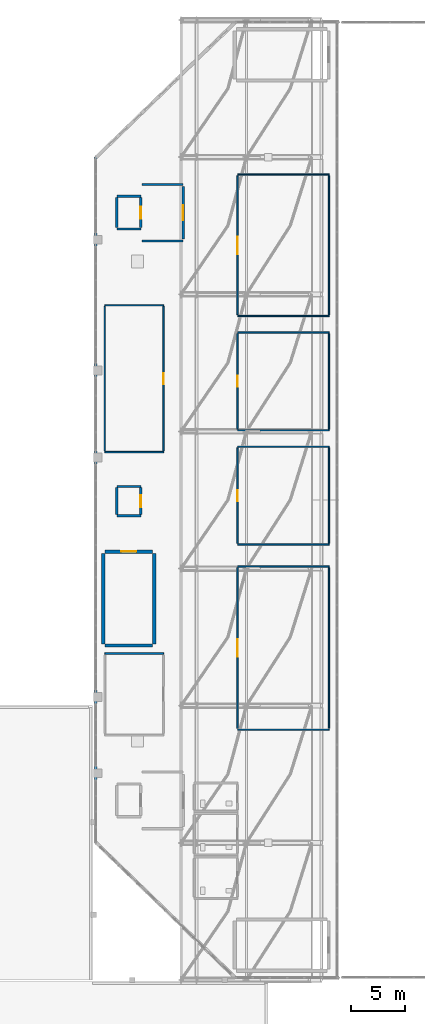
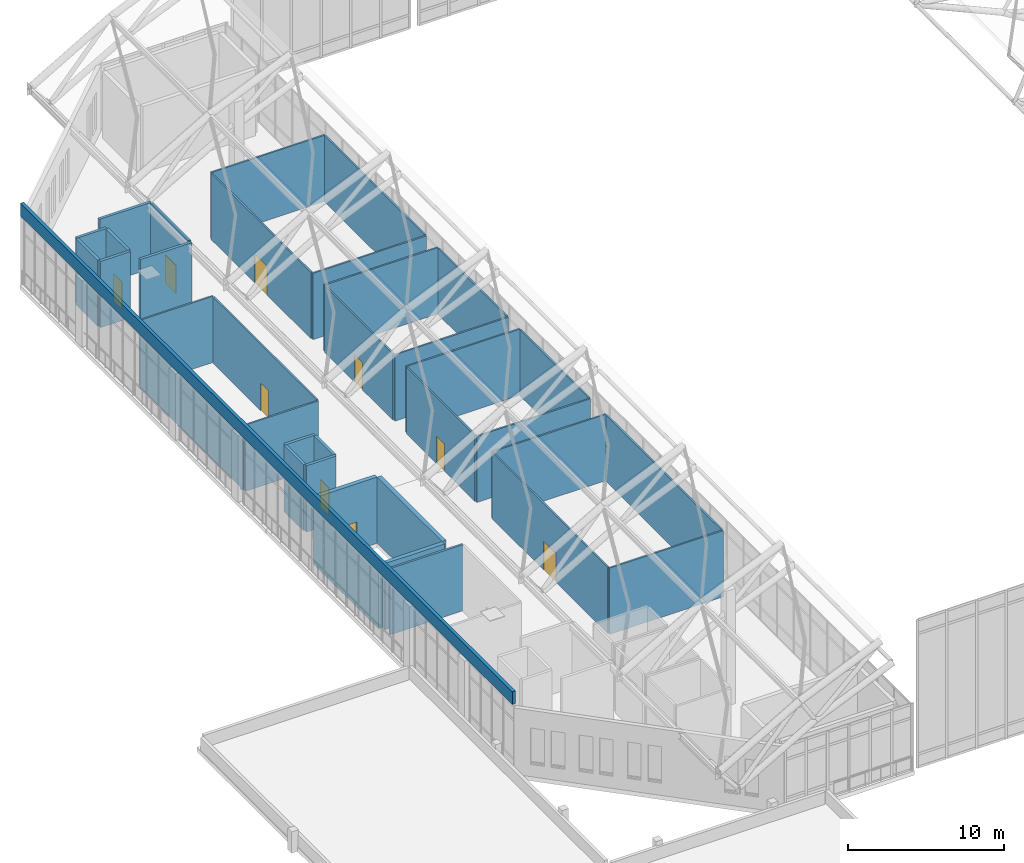
# One storey, part 37 of 42: 37 walls, 9 doors, 9 openings.
"""IFC4 building model written with IfcOpenShell, lengths in metres."""

from ifc_helpers import new_model, si_unit, derived_unit, direction, frame, frame_2d, origin, place, context, subcontext, project, spatial, rectangle, extrude, material, layer, layer_set, type_object, element, fill, save


model = new_model("IFC4")

# Units and contexts
model_context = context("Model", 3, precision=1e-05, world=origin(), true_north=direction((0.0, 1.0)))
body_context = subcontext(model_context, "Body", "Model", "MODEL_VIEW")
ifc_project = project(units=[si_unit("LENGTHUNIT", "METRE"), si_unit("AREAUNIT", "SQUARE_METRE"), si_unit("VOLUMEUNIT", "CUBIC_METRE"), si_unit("PLANEANGLEUNIT", "RADIAN"), si_unit("MASSUNIT", "GRAM", prefix="KILO"), derived_unit("THERMALTRANSMITTANCEUNIT", [(si_unit("MASSUNIT", "GRAM", prefix="KILO"), 1), (si_unit("TIMEUNIT", "SECOND"), -3), (si_unit("THERMODYNAMICTEMPERATUREUNIT", "KELVIN"), -1)])], contexts=[model_context])

# Site, building, storey
site_placement = place(None, origin())
site = spatial("IfcSite", under=ifc_project, at=site_placement, CompositionType="ELEMENT")
building_placement = place(site_placement, origin())
building = spatial("IfcBuilding", under=site, at=building_placement, Name="Valcora Ridge Arena", CompositionType="ELEMENT")
storey_placement = place(building_placement, frame((0.0, 0.0, 26.39990234375)))
storey = spatial("IfcBuildingStorey", under=building, at=storey_placement, Name="L05", CompositionType="ELEMENT", Elevation=26.39990234375)

# Walls
ifc_material_1 = material(Name="Fire-rated masonry-core compartment wall C35/45 150 mm", Category="masonry")
ifc_layer_1 = layer(ifc_material_1, 0.14990234375, Name="Fire-rated masonry-core compartment wall C35/45 150 mm")
ifc_layer_set_1 = layer_set([ifc_layer_1], Name="Fire-rated masonry-core compartment wall C35/45 150 mm")
wall_type_1 = type_object("IfcWallType", Name="TY-WALL-IW-COMP-150", PredefinedType="STANDARD", material=ifc_layer_set_1)
wall_1_placement = place(storey_placement, frame((17.0, 50.0, 0.0), z_axis=(0.0, 0.0, 1.0), x_axis=(1.0, 0.0, 0.0)))
element("IfcWall", 1, at=wall_1_placement, inside=storey, type_object=wall_type_1, Name="IW-COMP-150 WAL-IN-0500", PredefinedType="STANDARD", context=body_context, shape_type="SweptSolid", body=[
    extrude(rectangle(XDim=5.39990234375, YDim=0.14990234375, at=frame_2d((2.699951171875, 0.0))), origin(), (0.0, 0.0, 1.0), 5.18017578125),
])
ifc_material_2 = material(Name="Fire-resisting reinforced concrete enclosure C40/50 200 mm", Category="concrete")
ifc_layer_2 = layer(ifc_material_2, 0.199951171875, Name="Fire-resisting reinforced concrete enclosure C40/50 200 mm")
ifc_layer_set_2 = layer_set([ifc_layer_2], Name="Fire-resisting reinforced concrete enclosure C40/50 200 mm")
wall_type_2 = type_object("IfcWallType", Name="TY-WALL-IW-FIRE-200", PredefinedType="STANDARD", material=ifc_layer_set_2)
for number, where, z_axis, x_axis, name in (
    (2, (20.39990234375, 87.89990234375, 0.0), (0.0, 0.0, 1.0), (1.0, 0.0, 0.0), "IW-FIRE-200 WAL-IN-0040"),
    (3, (20.39990234375, 93.10009765625, 0.0), (0.0, 0.0, 1.0), (1.0, 0.0, 0.0), "IW-FIRE-200 WAL-IN-0041"),
):
    element("IfcWall", number, at=place(storey_placement, frame(where, z_axis=z_axis, x_axis=x_axis)), inside=storey, type_object=wall_type_2, Name=name, PredefinedType="STANDARD", context=body_context, shape_type="SweptSolid", body=[
        extrude(rectangle(XDim=3.800048828125, YDim=0.199951171875, at=frame_2d((1.89990234375, 0.0))), origin(), (0.0, 0.0, 1.0), 5.18017578125),
    ])

# Wall, opening, door
wall_2_placement = place(storey_placement, frame((24.199951171875, 88.10009765625, 0.0), z_axis=(0.0, 0.0, 1.0), x_axis=(0.0, 1.0, 0.0)))
wall_2 = element("IfcWall", 4, at=wall_2_placement, inside=storey, type_object=wall_type_2, Name="IW-FIRE-200 WAL-IN-0042", PredefinedType="STANDARD", context=body_context, shape_type="SweptSolid", body=[
    extrude(rectangle(XDim=4.7998046875, YDim=0.199951171875, at=frame_2d((2.39990234375, 0.0))), origin(), (0.0, 0.0, 1.0), 5.18017578125),
])
opening_1_placement = place(wall_2_placement, frame((1.699951171875, 0.0, 0.0)))
opening_1 = element("IfcOpeningElement", 5, at=opening_1_placement, cuts=wall_2, Name="Opening FD-FFL-1400", PredefinedType="OPENING", context=body_context, shape_type="SweptSolid", body=[
    extrude(rectangle(XDim=1.39990234375, YDim=2.199951171875, at=frame_2d((0.699951171875, 1.10009765625))), frame((0.0, 0.10986328125, 0.0), z_axis=(0.0, -1.0, 0.0), x_axis=(1.0, 0.0, 0.0)), (0.0, 0.0, 1.0), 0.219970703125),
])
ifc_material_3 = material(Name="Insulated fire-rated steel door leaf", Category="steel")
door_type_1 = type_object("IfcDoorType", Name="TY-DOOR-FD-FFL-1400", OperationType="NOTDEFINED", PredefinedType="DOOR", material=ifc_material_3)
door_1_placement = place(opening_1_placement, origin())
door_1 = element("IfcDoor", 6, at=door_1_placement, inside=storey, type_object=door_type_1, Name="FD-FFL-1400 DOR-IN-0014", OperationType="DOUBLE_DOOR_SINGLE_SWING", OverallHeight=2.199951171875, OverallWidth=1.39990234375, PredefinedType="DOOR", context=body_context, shape_type="SweptSolid", body=[
    extrude(rectangle(XDim=1.39990234375, YDim=2.199951171875, at=frame_2d((0.699951171875, 1.10009765625))), frame((0.0, 0.02490234375, 0.0), z_axis=(0.0, -1.0, 0.0), x_axis=(1.0, 0.0, 0.0)), (0.0, 0.0, 1.0), 0.050048828125),
])
fill(opening_1, door_1)

# Walls
ifc_material_4 = material(Name="Acoustic metal-stud gypsum partition 120 mm")
ifc_layer_3 = layer(ifc_material_4, 0.1201171875, Name="Acoustic metal-stud gypsum partition 120 mm")
ifc_layer_set_3 = layer_set([ifc_layer_3], Name="Acoustic metal-stud gypsum partition 120 mm")
wall_type_3 = type_object("IfcWallType", Name="TY-WALL-IW-PART-120", PredefinedType="PARTITIONING", material=ifc_layer_set_3)
for number, where, z_axis, x_axis, name in (
    (7, (29.199951171875, 43.0, 0.0), (0.0, 0.0, 1.0), (1.0, 0.0, 0.0), "IW-PART-120 WAL-IN-0479"),
    (8, (29.199951171875, 58.0, 0.0), (0.0, 0.0, 1.0), (1.0, 0.0, 0.0), "IW-PART-120 WAL-IN-0480"),
):
    element("IfcWall", number, at=place(storey_placement, frame(where, z_axis=z_axis, x_axis=x_axis)), inside=storey, type_object=wall_type_3, Name=name, PredefinedType="PARTITIONING", context=body_context, shape_type="SweptSolid", body=[
        extrude(rectangle(XDim=8.400146484375, YDim=0.1201171875, at=frame_2d((4.2001953125, 0.0))), origin(), (0.0, 0.0, 1.0), 5.18017578125),
    ])

# Wall, opening, door
wall_3_placement = place(storey_placement, frame((29.199951171875, 43.1201171875, 0.0), z_axis=(0.0, 0.0, 1.0), x_axis=(0.0, 1.0, 0.0)))
wall_3 = element("IfcWall", 9, at=wall_3_placement, inside=storey, type_object=wall_type_3, Name="IW-PART-120 WAL-IN-0481", PredefinedType="PARTITIONING", context=body_context, shape_type="SweptSolid", body=[
    extrude(rectangle(XDim=14.759765625, YDim=0.1201171875, at=frame_2d((7.3798828125, 0.0))), origin(), (0.0, 0.0, 1.0), 5.18017578125),
])
opening_2_placement = place(wall_3_placement, frame((6.580078125, 0.0, 0.0)))
opening_2 = element("IfcOpeningElement", 10, at=opening_2_placement, cuts=wall_3, Name="Opening D-PUB-1600", PredefinedType="OPENING", context=body_context, shape_type="SweptSolid", body=[
    extrude(rectangle(XDim=1.60009765625, YDim=2.25, at=frame_2d((0.800048828125, 1.125))), frame((0.0, 0.070068359375, 0.0), z_axis=(0.0, -1.0, 0.0), x_axis=(1.0, 0.0, 0.0)), (0.0, 0.0, 1.0), 0.14013671875),
])
ifc_material_5 = material(Name="Solid-core acoustic timber veneer door leaf", Category="wood")
door_type_2 = type_object("IfcDoorType", Name="TY-DOOR-D-PUB-1600", OperationType="NOTDEFINED", PredefinedType="DOOR", material=ifc_material_5)
door_2_placement = place(opening_2_placement, origin())
door_2 = element("IfcDoor", 11, at=door_2_placement, inside=storey, type_object=door_type_2, Name="D-PUB-1600 DOR-IN-0125", OperationType="DOUBLE_DOOR_SINGLE_SWING", OverallHeight=2.25, OverallWidth=1.60009765625, PredefinedType="DOOR", context=body_context, shape_type="SweptSolid", body=[
    extrude(rectangle(XDim=1.60009765625, YDim=2.25, at=frame_2d((0.800048828125, 1.125))), frame((0.0, 0.02490234375, 0.0), z_axis=(0.0, -1.0, 0.0), x_axis=(1.0, 0.0, 0.0)), (0.0, 0.0, 1.0), 0.050048828125),
])
fill(opening_2, door_2)

# Walls
wall_4_placement = place(storey_placement, frame((37.60009765625, 43.1201171875, 0.0), z_axis=(0.0, 0.0, 1.0), x_axis=(0.0, 1.0, 0.0)))
element("IfcWall", 12, at=wall_4_placement, inside=storey, type_object=wall_type_3, Name="IW-PART-120 WAL-IN-0482", PredefinedType="PARTITIONING", context=body_context, shape_type="SweptSolid", body=[
    extrude(rectangle(XDim=14.759765625, YDim=0.1201171875, at=frame_2d((7.3798828125, 0.0))), origin(), (0.0, 0.0, 1.0), 5.18017578125),
])
for number, where, z_axis, x_axis, name in (
    (13, (29.199951171875, 60.0, 0.0), (0.0, 0.0, 1.0), (1.0, 0.0, 0.0), "IW-PART-120 WAL-IN-0483"),
    (14, (29.199951171875, 69.0, 0.0), (0.0, 0.0, 1.0), (1.0, 0.0, 0.0), "IW-PART-120 WAL-IN-0484"),
):
    element("IfcWall", number, at=place(storey_placement, frame(where, z_axis=z_axis, x_axis=x_axis)), inside=storey, type_object=wall_type_3, Name=name, PredefinedType="PARTITIONING", context=body_context, shape_type="SweptSolid", body=[
        extrude(rectangle(XDim=8.400146484375, YDim=0.1201171875, at=frame_2d((4.2001953125, 0.0))), origin(), (0.0, 0.0, 1.0), 5.18017578125),
    ])

# Wall, opening, door
wall_5_placement = place(storey_placement, frame((29.199951171875, 60.1201171875, 0.0), z_axis=(0.0, 0.0, 1.0), x_axis=(0.0, 1.0, 0.0)))
wall_5 = element("IfcWall", 15, at=wall_5_placement, inside=storey, type_object=wall_type_3, Name="IW-PART-120 WAL-IN-0485", PredefinedType="PARTITIONING", context=body_context, shape_type="SweptSolid", body=[
    extrude(rectangle(XDim=8.759765625, YDim=0.1201171875, at=frame_2d((4.3798828125, 0.0))), origin(), (0.0, 0.0, 1.0), 5.18017578125),
])
opening_3_placement = place(wall_5_placement, frame((3.8798828125, 0.0, 0.0)))
opening_3 = element("IfcOpeningElement", 16, at=opening_3_placement, cuts=wall_5, Name="Opening D-INT-1000", PredefinedType="OPENING", context=body_context, shape_type="SweptSolid", body=[
    extrude(rectangle(XDim=1.0, YDim=2.14990234375, at=frame_2d((0.5, 1.074951171875))), frame((0.0, 0.070068359375, 0.0), z_axis=(0.0, -1.0, 0.0), x_axis=(1.0, 0.0, 0.0)), (0.0, 0.0, 1.0), 0.14013671875),
])
door_type_3 = type_object("IfcDoorType", Name="TY-DOOR-D-INT-1000", OperationType="NOTDEFINED", PredefinedType="DOOR", material=ifc_material_5)
door_3_placement = place(opening_3_placement, origin())
door_3 = element("IfcDoor", 17, at=door_3_placement, inside=storey, type_object=door_type_3, Name="D-INT-1000 DOR-IN-0126", OperationType="SINGLE_SWING_LEFT", OverallHeight=2.14990234375, OverallWidth=1.0, PredefinedType="DOOR", context=body_context, shape_type="SweptSolid", body=[
    extrude(rectangle(XDim=1.0, YDim=2.14990234375, at=frame_2d((0.5, 1.074951171875))), frame((0.0, 0.02490234375, 0.0), z_axis=(0.0, -1.0, 0.0), x_axis=(1.0, 0.0, 0.0)), (0.0, 0.0, 1.0), 0.050048828125),
])
fill(opening_3, door_3)

# Walls
wall_6_placement = place(storey_placement, frame((37.60009765625, 60.1201171875, 0.0), z_axis=(0.0, 0.0, 1.0), x_axis=(0.0, 1.0, 0.0)))
element("IfcWall", 18, at=wall_6_placement, inside=storey, type_object=wall_type_3, Name="IW-PART-120 WAL-IN-0486", PredefinedType="PARTITIONING", context=body_context, shape_type="SweptSolid", body=[
    extrude(rectangle(XDim=8.759765625, YDim=0.1201171875, at=frame_2d((4.3798828125, 0.0))), origin(), (0.0, 0.0, 1.0), 5.18017578125),
])
for number, where, z_axis, x_axis, name in (
    (19, (29.199951171875, 70.5, 0.0), (0.0, 0.0, 1.0), (1.0, 0.0, 0.0), "IW-PART-120 WAL-IN-0487"),
    (20, (29.199951171875, 79.5, 0.0), (0.0, 0.0, 1.0), (1.0, 0.0, 0.0), "IW-PART-120 WAL-IN-0488"),
):
    element("IfcWall", number, at=place(storey_placement, frame(where, z_axis=z_axis, x_axis=x_axis)), inside=storey, type_object=wall_type_3, Name=name, PredefinedType="PARTITIONING", context=body_context, shape_type="SweptSolid", body=[
        extrude(rectangle(XDim=8.400146484375, YDim=0.1201171875, at=frame_2d((4.2001953125, 0.0))), origin(), (0.0, 0.0, 1.0), 5.18017578125),
    ])

# Wall, opening, door
wall_7_placement = place(storey_placement, frame((29.199951171875, 70.6201171875, 0.0), z_axis=(0.0, 0.0, 1.0), x_axis=(0.0, 1.0, 0.0)))
wall_7 = element("IfcWall", 21, at=wall_7_placement, inside=storey, type_object=wall_type_3, Name="IW-PART-120 WAL-IN-0489", PredefinedType="PARTITIONING", context=body_context, shape_type="SweptSolid", body=[
    extrude(rectangle(XDim=8.759765625, YDim=0.1201171875, at=frame_2d((4.3798828125, 0.0))), origin(), (0.0, 0.0, 1.0), 5.18017578125),
])
opening_4_placement = place(wall_7_placement, frame((3.8798828125, 0.0, 0.0)))
opening_4 = element("IfcOpeningElement", 22, at=opening_4_placement, cuts=wall_7, Name="Opening D-INT-1000", PredefinedType="OPENING", context=body_context, shape_type="SweptSolid", body=[
    extrude(rectangle(XDim=1.0, YDim=2.14990234375, at=frame_2d((0.5, 1.074951171875))), frame((0.0, 0.070068359375, 0.0), z_axis=(0.0, -1.0, 0.0), x_axis=(1.0, 0.0, 0.0)), (0.0, 0.0, 1.0), 0.14013671875),
])
door_4_placement = place(opening_4_placement, origin())
door_4 = element("IfcDoor", 23, at=door_4_placement, inside=storey, type_object=door_type_3, Name="D-INT-1000 DOR-IN-0127", OperationType="SINGLE_SWING_RIGHT", OverallHeight=2.14990234375, OverallWidth=1.0, PredefinedType="DOOR", context=body_context, shape_type="SweptSolid", body=[
    extrude(rectangle(XDim=1.0, YDim=2.14990234375, at=frame_2d((0.5, 1.074951171875))), frame((0.0, 0.02490234375, 0.0), z_axis=(0.0, -1.0, 0.0), x_axis=(1.0, 0.0, 0.0)), (0.0, 0.0, 1.0), 0.050048828125),
])
fill(opening_4, door_4)

# Walls
wall_8_placement = place(storey_placement, frame((37.60009765625, 70.6201171875, 0.0), z_axis=(0.0, 0.0, 1.0), x_axis=(0.0, 1.0, 0.0)))
element("IfcWall", 24, at=wall_8_placement, inside=storey, type_object=wall_type_3, Name="IW-PART-120 WAL-IN-0490", PredefinedType="PARTITIONING", context=body_context, shape_type="SweptSolid", body=[
    extrude(rectangle(XDim=8.759765625, YDim=0.1201171875, at=frame_2d((4.3798828125, 0.0))), origin(), (0.0, 0.0, 1.0), 5.18017578125),
])
for number, where, z_axis, x_axis, name in (
    (25, (29.199951171875, 81.0, 0.0), (0.0, 0.0, 1.0), (1.0, 0.0, 0.0), "IW-PART-120 WAL-IN-0491"),
    (26, (29.199951171875, 94.0, 0.0), (0.0, 0.0, 1.0), (1.0, 0.0, 0.0), "IW-PART-120 WAL-IN-0492"),
):
    element("IfcWall", number, at=place(storey_placement, frame(where, z_axis=z_axis, x_axis=x_axis)), inside=storey, type_object=wall_type_3, Name=name, PredefinedType="PARTITIONING", context=body_context, shape_type="SweptSolid", body=[
        extrude(rectangle(XDim=8.400146484375, YDim=0.1201171875, at=frame_2d((4.2001953125, 0.0))), origin(), (0.0, 0.0, 1.0), 5.18017578125),
    ])

# Wall, opening, door
wall_9_placement = place(storey_placement, frame((29.199951171875, 81.1201171875, 0.0), z_axis=(0.0, 0.0, 1.0), x_axis=(0.0, 1.0, 0.0)))
wall_9 = element("IfcWall", 27, at=wall_9_placement, inside=storey, type_object=wall_type_3, Name="IW-PART-120 WAL-IN-0493", PredefinedType="PARTITIONING", context=body_context, shape_type="SweptSolid", body=[
    extrude(rectangle(XDim=12.759765625, YDim=0.1201171875, at=frame_2d((6.3798828125, 0.0))), origin(), (0.0, 0.0, 1.0), 5.18017578125),
])
opening_5_placement = place(wall_9_placement, frame((5.580078125, 0.0, 0.0)))
opening_5 = element("IfcOpeningElement", 28, at=opening_5_placement, cuts=wall_9, Name="Opening D-PUB-1600", PredefinedType="OPENING", context=body_context, shape_type="SweptSolid", body=[
    extrude(rectangle(XDim=1.60009765625, YDim=2.25, at=frame_2d((0.800048828125, 1.125))), frame((0.0, 0.070068359375, 0.0), z_axis=(0.0, -1.0, 0.0), x_axis=(1.0, 0.0, 0.0)), (0.0, 0.0, 1.0), 0.14013671875),
])
door_5_placement = place(opening_5_placement, origin())
door_5 = element("IfcDoor", 29, at=door_5_placement, inside=storey, type_object=door_type_2, Name="D-PUB-1600 DOR-IN-0128", OperationType="DOUBLE_DOOR_SINGLE_SWING", OverallHeight=2.25, OverallWidth=1.60009765625, PredefinedType="DOOR", context=body_context, shape_type="SweptSolid", body=[
    extrude(rectangle(XDim=1.60009765625, YDim=2.25, at=frame_2d((0.800048828125, 1.125))), frame((0.0, 0.02490234375, 0.0), z_axis=(0.0, -1.0, 0.0), x_axis=(1.0, 0.0, 0.0)), (0.0, 0.0, 1.0), 0.050048828125),
])
fill(opening_5, door_5)

# Walls
wall_10_placement = place(storey_placement, frame((37.60009765625, 81.1201171875, 0.0), z_axis=(0.0, 0.0, 1.0), x_axis=(0.0, 1.0, 0.0)))
element("IfcWall", 30, at=wall_10_placement, inside=storey, type_object=wall_type_3, Name="IW-PART-120 WAL-IN-0494", PredefinedType="PARTITIONING", context=body_context, shape_type="SweptSolid", body=[
    extrude(rectangle(XDim=12.759765625, YDim=0.1201171875, at=frame_2d((6.3798828125, 0.0))), origin(), (0.0, 0.0, 1.0), 5.18017578125),
])
for number, where, z_axis, x_axis, name in (
    (31, (17.0, 68.5, 0.0), (0.0, 0.0, 1.0), (1.0, 0.0, 0.0), "IW-PART-120 WAL-IN-0495"),
    (32, (17.0, 82.0, 0.0), (0.0, 0.0, 1.0), (1.0, 0.0, 0.0), "IW-PART-120 WAL-IN-0496"),
):
    element("IfcWall", number, at=place(storey_placement, frame(where, z_axis=z_axis, x_axis=x_axis)), inside=storey, type_object=wall_type_3, Name=name, PredefinedType="PARTITIONING", context=body_context, shape_type="SweptSolid", body=[
        extrude(rectangle(XDim=5.39990234375, YDim=0.1201171875, at=frame_2d((2.699951171875, 0.0))), origin(), (0.0, 0.0, 1.0), 5.18017578125),
    ])
wall_11_placement = place(storey_placement, frame((17.0, 68.6201171875, 0.0), z_axis=(0.0, 0.0, 1.0), x_axis=(0.0, 1.0, 0.0)))
element("IfcWall", 33, at=wall_11_placement, inside=storey, type_object=wall_type_3, Name="IW-PART-120 WAL-IN-0497", PredefinedType="PARTITIONING", context=body_context, shape_type="SweptSolid", body=[
    extrude(rectangle(XDim=13.259765625, YDim=0.1201171875, at=frame_2d((6.6298828125, 0.0))), origin(), (0.0, 0.0, 1.0), 5.18017578125),
])

# Wall, opening, door
wall_12_placement = place(storey_placement, frame((22.39990234375, 68.6201171875, 0.0), z_axis=(0.0, 0.0, 1.0), x_axis=(0.0, 1.0, 0.0)))
wall_12 = element("IfcWall", 34, at=wall_12_placement, inside=storey, type_object=wall_type_3, Name="IW-PART-120 WAL-IN-0498", PredefinedType="PARTITIONING", context=body_context, shape_type="SweptSolid", body=[
    extrude(rectangle(XDim=13.259765625, YDim=0.1201171875, at=frame_2d((6.6298828125, 0.0))), origin(), (0.0, 0.0, 1.0), 5.18017578125),
])
opening_6_placement = place(wall_12_placement, frame((6.1298828125, 0.0, 0.0)))
opening_6 = element("IfcOpeningElement", 35, at=opening_6_placement, cuts=wall_12, Name="Opening D-INT-1000", PredefinedType="OPENING", context=body_context, shape_type="SweptSolid", body=[
    extrude(rectangle(XDim=1.0, YDim=2.14990234375, at=frame_2d((0.5, 1.074951171875))), frame((0.0, 0.070068359375, 0.0), z_axis=(0.0, -1.0, 0.0), x_axis=(1.0, 0.0, 0.0)), (0.0, 0.0, 1.0), 0.14013671875),
])
door_6_placement = place(opening_6_placement, origin())
door_6 = element("IfcDoor", 36, at=door_6_placement, inside=storey, type_object=door_type_3, Name="D-INT-1000 DOR-IN-0129", OperationType="SINGLE_SWING_LEFT", OverallHeight=2.14990234375, OverallWidth=1.0, PredefinedType="DOOR", context=body_context, shape_type="SweptSolid", body=[
    extrude(rectangle(XDim=1.0, YDim=2.14990234375, at=frame_2d((0.5, 1.074951171875))), frame((0.0, 0.02490234375, 0.0), z_axis=(0.0, -1.0, 0.0), x_axis=(1.0, 0.0, 0.0)), (0.0, 0.0, 1.0), 0.050048828125),
])
fill(opening_6, door_6)

# Walls
ifc_material_6 = material(Name="Concrete C40/50", Category="concrete")
ifc_layer_4 = layer(ifc_material_6, 0.199951171875, Name="Concrete C40/50")
ifc_layer_set_4 = layer_set([ifc_layer_4], Name="Concrete C40/50")
wall_type_4 = type_object("IfcWallType", Name="TY-WALL-IW-SHF-200", PredefinedType="STANDARD", material=ifc_layer_set_4)
for number, where, z_axis, x_axis, name in (
    (37, (18.10009765625, 89.0, 0.0), (0.0, 0.0, 1.0), (1.0, 0.0, 0.0), "IW-SHF-200 WAL-SH-0053"),
    (38, (18.10009765625, 92.0, 0.0), (0.0, 0.0, 1.0), (1.0, 0.0, 0.0), "IW-SHF-200 WAL-SH-0054"),
):
    element("IfcWall", number, at=place(storey_placement, frame(where, z_axis=z_axis, x_axis=x_axis)), inside=storey, type_object=wall_type_4, Name=name, PredefinedType="STANDARD", context=body_context, shape_type="SweptSolid", body=[
        extrude(rectangle(XDim=2.199951171875, YDim=0.199951171875, at=frame_2d((1.10009765625, 0.0))), origin(), (0.0, 0.0, 1.0), 5.18017578125),
    ])
wall_13_placement = place(storey_placement, frame((18.10009765625, 89.1201171875, 0.0), z_axis=(0.0, 0.0, 1.0), x_axis=(0.0, 1.0, 0.0)))
element("IfcWall", 39, at=wall_13_placement, inside=storey, type_object=wall_type_4, Name="IW-SHF-200 WAL-SH-0055", PredefinedType="STANDARD", context=body_context, shape_type="SweptSolid", body=[
    extrude(rectangle(XDim=2.759765625, YDim=0.199951171875, at=frame_2d((1.3798828125, 0.0))), origin(), (0.0, 0.0, 1.0), 5.18017578125),
])

# Wall, opening, door
wall_14_placement = place(storey_placement, frame((20.300048828125, 89.1201171875, 0.0), z_axis=(0.0, 0.0, 1.0), x_axis=(0.0, 1.0, 0.0)))
wall_14 = element("IfcWall", 40, at=wall_14_placement, inside=storey, type_object=wall_type_4, Name="IW-SHF-200 WAL-SH-0056", PredefinedType="STANDARD", context=body_context, shape_type="SweptSolid", body=[
    extrude(rectangle(XDim=2.759765625, YDim=0.199951171875, at=frame_2d((1.3798828125, 0.0))), origin(), (0.0, 0.0, 1.0), 5.18017578125),
])
opening_7_placement = place(wall_14_placement, frame((0.830078125, 0.0, 0.0)))
opening_7 = element("IfcOpeningElement", 41, at=opening_7_placement, cuts=wall_14, Name="Opening LD-FF", PredefinedType="OPENING", context=body_context, shape_type="SweptSolid", body=[
    extrude(rectangle(XDim=1.10009765625, YDim=2.14990234375, at=frame_2d((0.550048828125, 1.074951171875))), frame((0.0, 0.10986328125, 0.0), z_axis=(0.0, -1.0, 0.0), x_axis=(1.0, 0.0, 0.0)), (0.0, 0.0, 1.0), 0.219970703125),
])
ifc_material_7 = material(Name="Insulated fire-rated hollow metal steel", Category="steel")
door_type_4 = type_object("IfcDoorType", Name="TY-DOOR-LD-FF", OperationType="NOTDEFINED", PredefinedType="DOOR", material=ifc_material_7)
door_7_placement = place(opening_7_placement, origin())
door_7 = element("IfcDoor", 42, at=door_7_placement, inside=storey, type_object=door_type_4, Name="FFL2 Landing Door L05", OperationType="SLIDING_TO_LEFT", OverallHeight=2.14990234375, OverallWidth=1.10009765625, PredefinedType="DOOR", context=body_context, shape_type="SweptSolid", body=[
    extrude(rectangle(XDim=1.10009765625, YDim=2.14990234375, at=frame_2d((0.550048828125, 1.074951171875))), frame((0.0, 0.02490234375, 0.0), z_axis=(0.0, -1.0, 0.0), x_axis=(1.0, 0.0, 0.0)), (0.0, 0.0, 1.0), 0.050048828125),
])
fill(opening_7, door_7)

# Walls
for number, where, z_axis, x_axis, name in (
    (43, (18.10009765625, 62.64990234375, 0.0), (0.0, 0.0, 1.0), (1.0, 0.0, 0.0), "IW-SHF-200 WAL-SH-0229"),
    (44, (18.10009765625, 65.35009765625, 0.0), (0.0, 0.0, 1.0), (1.0, 0.0, 0.0), "IW-SHF-200 WAL-SH-0230"),
):
    element("IfcWall", number, at=place(storey_placement, frame(where, z_axis=z_axis, x_axis=x_axis)), inside=storey, type_object=wall_type_4, Name=name, PredefinedType="STANDARD", context=body_context, shape_type="SweptSolid", body=[
        extrude(rectangle(XDim=2.199951171875, YDim=0.199951171875, at=frame_2d((1.10009765625, 0.0))), origin(), (0.0, 0.0, 1.0), 5.18017578125),
    ])
wall_15_placement = place(storey_placement, frame((18.10009765625, 62.77001953125, 0.0), z_axis=(0.0, 0.0, 1.0), x_axis=(0.0, 1.0, 0.0)))
element("IfcWall", 45, at=wall_15_placement, inside=storey, type_object=wall_type_4, Name="IW-SHF-200 WAL-SH-0231", PredefinedType="STANDARD", context=body_context, shape_type="SweptSolid", body=[
    extrude(rectangle(XDim=2.4599609375, YDim=0.199951171875, at=frame_2d((1.22998046875, 0.0))), origin(), (0.0, 0.0, 1.0), 5.18017578125),
])

# Wall, opening, door
wall_16_placement = place(storey_placement, frame((20.300048828125, 62.77001953125, 0.0), z_axis=(0.0, 0.0, 1.0), x_axis=(0.0, 1.0, 0.0)))
wall_16 = element("IfcWall", 46, at=wall_16_placement, inside=storey, type_object=wall_type_4, Name="IW-SHF-200 WAL-SH-0232", PredefinedType="STANDARD", context=body_context, shape_type="SweptSolid", body=[
    extrude(rectangle(XDim=2.4599609375, YDim=0.199951171875, at=frame_2d((1.22998046875, 0.0))), origin(), (0.0, 0.0, 1.0), 5.18017578125),
])
opening_8_placement = place(wall_16_placement, frame((0.679931640625, 0.0, 0.0)))
opening_8 = element("IfcOpeningElement", 47, at=opening_8_placement, cuts=wall_16, Name="Opening LD-PAX", PredefinedType="OPENING", context=body_context, shape_type="SweptSolid", body=[
    extrude(rectangle(XDim=1.10009765625, YDim=2.14990234375, at=frame_2d((0.550048828125, 1.074951171875))), frame((0.0, 0.10986328125, 0.0), z_axis=(0.0, -1.0, 0.0), x_axis=(1.0, 0.0, 0.0)), (0.0, 0.0, 1.0), 0.219970703125),
])
door_type_5 = type_object("IfcDoorType", Name="TY-DOOR-LD-PAX", OperationType="NOTDEFINED", PredefinedType="DOOR", material=ifc_material_7)
door_8_placement = place(opening_8_placement, origin())
door_8 = element("IfcDoor", 48, at=door_8_placement, inside=storey, type_object=door_type_5, Name="CL3 Landing Door L05", OperationType="SLIDING_TO_LEFT", OverallHeight=2.14990234375, OverallWidth=1.10009765625, PredefinedType="DOOR", context=body_context, shape_type="SweptSolid", body=[
    extrude(rectangle(XDim=1.10009765625, YDim=2.14990234375, at=frame_2d((0.550048828125, 1.074951171875))), frame((0.0, 0.02490234375, 0.0), z_axis=(0.0, -1.0, 0.0), x_axis=(1.0, 0.0, 0.0)), (0.0, 0.0, 1.0), 0.050048828125),
])
fill(opening_8, door_8)

# Walls
ifc_material_8 = material(Name="Concrete C45/55", Category="concrete")
ifc_layer_5 = layer(ifc_material_8, 0.300048828125, Name="Concrete C45/55")
ifc_layer_set_5 = layer_set([ifc_layer_5], Name="Concrete C45/55")
wall_type_5 = type_object("IfcWallType", Name="TY-WALL-SW-C300-L", PredefinedType="SHEAR", material=ifc_layer_set_5)
for number, where, z_axis, x_axis, name in (
    (49, (16.85009765625, 50.8798828125, 0.0), (0.0, 0.0, 1.0), (0.0, 1.0, 0.0), "SW-C300-L WAL-CR-0131"),
    (50, (21.550048828125, 50.8798828125, 0.0), (0.0, 0.0, 1.0), (0.0, 1.0, 0.0), "SW-C300-L WAL-CR-0132"),
):
    element("IfcWall", number, at=place(storey_placement, frame(where, z_axis=z_axis, x_axis=x_axis)), inside=storey, type_object=wall_type_5, Name=name, PredefinedType="SHEAR", context=body_context, shape_type="SweptSolid", body=[
        extrude(rectangle(XDim=8.320068359375, YDim=0.300048828125, at=frame_2d((4.16015625, 0.0))), origin(), (0.0, 0.0, 1.0), 5.18017578125),
    ])
ifc_layer_6 = layer(ifc_material_8, 0.300048828125, Name="Concrete C45/55")
ifc_layer_set_6 = layer_set([ifc_layer_6], Name="Concrete C45/55")
wall_type_6 = type_object("IfcWallType", Name="TY-WALL-SW-C300-S", PredefinedType="SHEAR", material=ifc_layer_set_6)
wall_17_placement = place(storey_placement, frame((17.0, 50.72998046875, 0.0), z_axis=(0.0, 0.0, 1.0), x_axis=(1.0, 0.0, 0.0)))
element("IfcWall", 51, at=wall_17_placement, inside=storey, type_object=wall_type_6, Name="SW-C300-S WAL-CR-0129", PredefinedType="SHEAR", context=body_context, shape_type="SweptSolid", body=[
    extrude(rectangle(XDim=4.39990234375, YDim=0.300048828125, at=frame_2d((2.199951171875, 0.0))), origin(), (0.0, 0.0, 1.0), 5.18017578125),
])

# Wall, opening, door
wall_18_placement = place(storey_placement, frame((17.0, 59.35009765625, 0.0), z_axis=(0.0, 0.0, 1.0), x_axis=(1.0, 0.0, 0.0)))
wall_18 = element("IfcWall", 52, at=wall_18_placement, inside=storey, type_object=wall_type_6, Name="SW-C300-S WAL-CR-0130", PredefinedType="SHEAR", context=body_context, shape_type="SweptSolid", body=[
    extrude(rectangle(XDim=4.39990234375, YDim=0.300048828125, at=frame_2d((2.199951171875, 0.0))), origin(), (0.0, 0.0, 1.0), 5.18017578125),
])
opening_9_placement = place(wall_18_placement, frame((1.5, 0.0, 0.0)))
opening_9 = element("IfcOpeningElement", 53, at=opening_9_placement, cuts=wall_18, Name="Opening FD-01", PredefinedType="OPENING", context=body_context, shape_type="SweptSolid", body=[
    extrude(rectangle(XDim=1.39990234375, YDim=2.199951171875, at=frame_2d((0.699951171875, 1.10009765625))), frame((0.0, 0.159912109375, 0.0), z_axis=(0.0, -1.0, 0.0), x_axis=(1.0, 0.0, 0.0)), (0.0, 0.0, 1.0), 0.320068359375),
])
door_type_6 = type_object("IfcDoorType", Name="TY-DOOR-FD-01", OperationType="NOTDEFINED", PredefinedType="DOOR", material=ifc_material_3)
door_9_placement = place(opening_9_placement, origin())
door_9 = element("IfcDoor", 54, at=door_9_placement, inside=storey, type_object=door_type_6, Name="FD-01 DOR-ST-0033", OperationType="DOUBLE_DOOR_SINGLE_SWING", OverallHeight=2.199951171875, OverallWidth=1.39990234375, PredefinedType="DOOR", context=body_context, shape_type="SweptSolid", body=[
    extrude(rectangle(XDim=1.39990234375, YDim=2.199951171875, at=frame_2d((0.699951171875, 1.10009765625))), frame((0.0, 0.02490234375, 0.0), z_axis=(0.0, -1.0, 0.0), x_axis=(1.0, 0.0, 0.0)), (0.0, 0.0, 1.0), 0.050048828125),
])
fill(opening_9, door_9)

# Wall
ifc_material_9 = material(Name="Bush-hammered Andean travertine on concrete backup C40/50", Category="masonry")
ifc_layer_7 = layer(ifc_material_9, 0.239990234375, Name="Bush-hammered Andean travertine on concrete backup C40/50")
ifc_layer_set_7 = layer_set([ifc_layer_7], Name="Bush-hammered Andean travertine on concrete backup C40/50")
wall_type_7 = type_object("IfcWallType", Name="TY-WALL-WP-PARA-240", PredefinedType="PARAPET", material=ifc_layer_set_7)
wall_19_placement = place(storey_placement, frame((16.14990234375, 32.60009765625, 5.400146484375), z_axis=(0.0, 0.0, 1.0), x_axis=(0.0, 1.0, 0.0)))
element("IfcWall", 55, at=wall_19_placement, inside=storey, type_object=wall_type_7, Name="WP-PARA-240 WAL-PP-0018", PredefinedType="PARAPET", context=body_context, shape_type="SweptSolid", body=[
    extrude(rectangle(XDim=63.0, YDim=0.239990234375, at=frame_2d((31.5, 0.0))), origin(), (0.0, 0.0, 1.0), 1.0),
])

save(model, "model.ifc")
